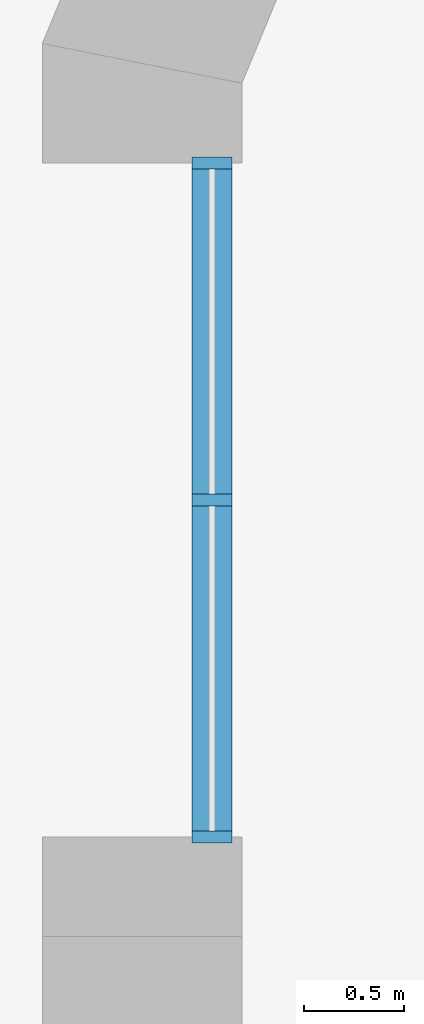
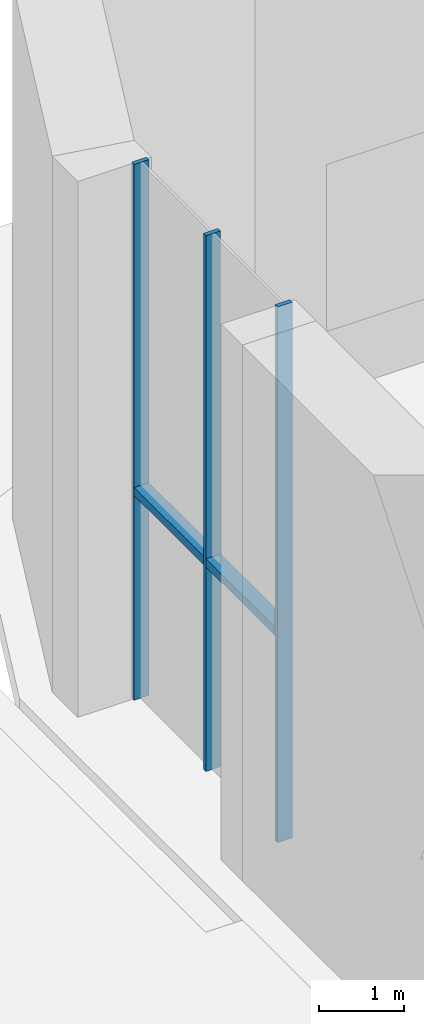
# One storey, part 7 of 22: 5 members, 1 element without a shape of its own.
"""IFC4 building model written with IfcOpenShell, lengths in metres."""

from ifc_helpers import new_model, si_unit, direction, frame, origin, origin_2d, place, context, subcontext, project, spatial, rectangle, extrude, material, layer, layer_set, material_profile, profile_set, type_object, element, aggregate, save


model = new_model("IFC4")

# Units and contexts
model_context = context("Model", 3, precision=1e-05, world=origin(), true_north=direction((0.0, 1.0)))
body_context = subcontext(model_context, "Body", "Model", "MODEL_VIEW")
ifc_project = project(units=[si_unit("LENGTHUNIT", "METRE"), si_unit("AREAUNIT", "SQUARE_METRE"), si_unit("VOLUMEUNIT", "CUBIC_METRE"), si_unit("PLANEANGLEUNIT", "RADIAN"), si_unit("MASSUNIT", "GRAM", prefix="KILO")], contexts=[model_context])

# Site, building, storey
site_placement = place(None, origin())
site = spatial("IfcSite", under=ifc_project, at=site_placement, CompositionType="ELEMENT")
building_placement = place(site_placement, origin())
building = spatial("IfcBuilding", under=site, at=building_placement, Name="Ostrand Prow Hotel Tower", CompositionType="ELEMENT")
storey_placement = place(building_placement, origin())
storey = spatial("IfcBuildingStorey", under=building, at=storey_placement, Name="L00", CompositionType="ELEMENT", Elevation=0.0)

# Curtain wall, members
ifc_material_1 = material(Name="Insulated glass in bronze anodised frame", Category="glass")
ifc_layer = layer(ifc_material_1, 0.199951171875)
ifc_layer_set = layer_set([ifc_layer], Name="Insulated glass in bronze anodised frame")
curtain_wall_type = type_object("IfcCurtainWallType", Name="Podium storefront curtain wall, clear glass in bronze frame", PredefinedType="NOTDEFINED", material=ifc_layer_set)
curtain_wall_placement = place(storey_placement, origin())
curtain_wall = element("IfcCurtainWall", 1, at=curtain_wall_placement, inside=storey, type_object=curtain_wall_type, Name="CW8 run CWS", PredefinedType="NOTDEFINED")
ifc_material_2 = material(Name="Bronze anodised aluminium", Category="aluminium")
ifc_material_profile_1 = material_profile(ifc_material_2, rectangle(XDim=0.199951171875, YDim=0.06005859375, at=origin_2d()), Name="Mullion 60x200 bronze anodised aluminium")
ifc_profile_set_1 = profile_set([ifc_material_profile_1], Name="Bronze anodised aluminium")
member_type_1 = type_object("IfcMemberType", Name="Mullion 60x200 bronze anodised aluminium", PredefinedType="MULLION", material=ifc_profile_set_1)
member_1_placement = place(storey_placement, frame((43.25, 32.321044921875, 0.0), z_axis=(0.0, 0.0, 1.0), x_axis=(1.0, 0.0, 0.0)))
member_1 = element("IfcMember", 2, at=member_1_placement, type_object=member_type_1, Name="CW8 mullion 1", PredefinedType="MULLION", context=body_context, shape_type="SweptSolid", body=[
    extrude(rectangle(XDim=0.199951171875, YDim=0.06005859375, at=origin_2d()), origin(), (0.0, 0.0, 1.0), 7.699951171875),
])
member_2_placement = place(storey_placement, frame((43.25, 30.6328125, 0.0), z_axis=(0.0, 0.0, 1.0), x_axis=(1.0, 0.0, 0.0)))
member_2 = element("IfcMember", 3, at=member_2_placement, type_object=member_type_1, Name="CW8 mullion 2", PredefinedType="MULLION", context=body_context, shape_type="SweptSolid", body=[
    extrude(rectangle(XDim=0.199951171875, YDim=0.06005859375, at=origin_2d()), origin(), (0.0, 0.0, 1.0), 7.699951171875),
])
member_3_placement = place(storey_placement, frame((43.25, 28.94482421875, 0.0), z_axis=(0.0, 0.0, 1.0), x_axis=(1.0, 0.0, 0.0)))
member_3 = element("IfcMember", 4, at=member_3_placement, type_object=member_type_1, Name="CW8 mullion 3", PredefinedType="MULLION", context=body_context, shape_type="SweptSolid", body=[
    extrude(rectangle(XDim=0.199951171875, YDim=0.06005859375, at=origin_2d()), origin(), (0.0, 0.0, 1.0), 7.699951171875),
])
ifc_material_3 = material(Name="Bronze anodised aluminium", Category="aluminium")
ifc_material_profile_2 = material_profile(ifc_material_3, rectangle(XDim=0.199951171875, YDim=0.1201171875, at=origin_2d()), Name="Transom 120x200 bronze anodised aluminium")
ifc_profile_set_2 = profile_set([ifc_material_profile_2], Name="Bronze anodised aluminium")
member_type_2 = type_object("IfcMemberType", Name="Transom 120x200 bronze anodised aluminium", PredefinedType="USERDEFINED", material=ifc_profile_set_2)
member_4_placement = place(storey_placement, frame((43.25, 32.291015625, 3.0), z_axis=(0.0, -1.0, 0.0), x_axis=(1.0, 0.0, 0.0)))
member_4 = element("IfcMember", 5, at=member_4_placement, type_object=member_type_2, Name="CW8 transom 1.1", ObjectType="TRANSOM", PredefinedType="USERDEFINED", context=body_context, shape_type="SweptSolid", body=[
    extrude(rectangle(XDim=0.199951171875, YDim=0.1201171875, at=origin_2d()), origin(), (0.0, 0.0, 1.0), 1.628173828125),
])
member_5_placement = place(storey_placement, frame((43.25, 30.602783203125, 3.0), z_axis=(0.0, -1.0, 0.0), x_axis=(1.0, 0.0, 0.0)))
member_5 = element("IfcMember", 6, at=member_5_placement, type_object=member_type_2, Name="CW8 transom 2.1", ObjectType="TRANSOM", PredefinedType="USERDEFINED", context=body_context, shape_type="SweptSolid", body=[
    extrude(rectangle(XDim=0.199951171875, YDim=0.1201171875, at=origin_2d()), origin(), (0.0, 0.0, 1.0), 1.6279296875),
])
aggregate(curtain_wall, [member_1, member_2, member_3, member_4, member_5])

save(model, "model.ifc")
